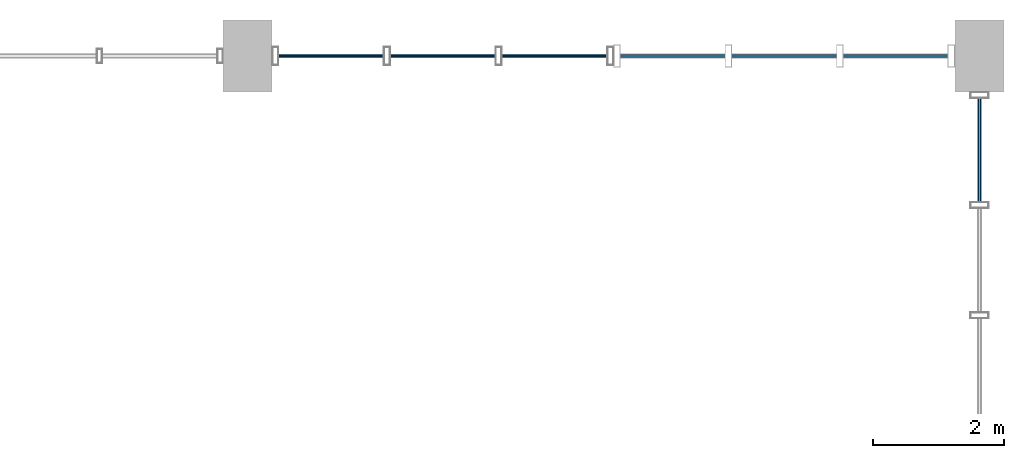
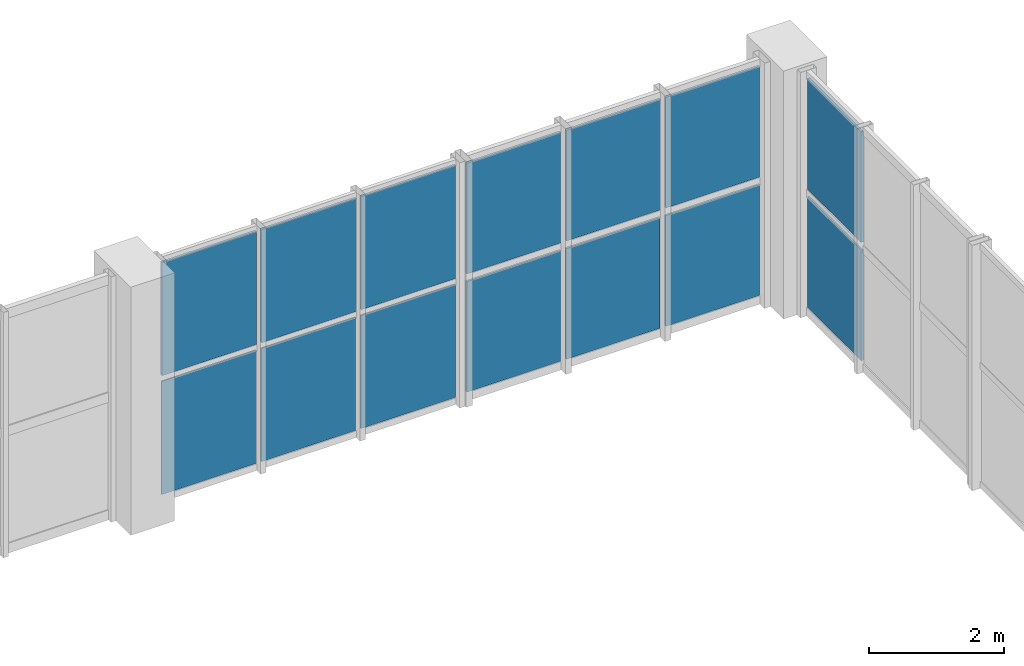
# One storey, part 35 of 48: 14 plates, 3 elements without a shape of their own.
"""IFC4 building model written with IfcOpenShell, lengths in metres."""

from ifc_helpers import new_model, si_unit, direction, frame, origin, origin_2d, place, context, subcontext, project, spatial, rectangle, extrude, material, layer, layer_set, type_object, element, aggregate, save


model = new_model("IFC4")

# Units and contexts
model_context = context("Model", 3, precision=1e-05, world=origin(), true_north=direction((0.0, 1.0)))
body_context = subcontext(model_context, "Body", "Model", "MODEL_VIEW")
ifc_project = project(units=[si_unit("LENGTHUNIT", "METRE"), si_unit("AREAUNIT", "SQUARE_METRE"), si_unit("VOLUMEUNIT", "CUBIC_METRE"), si_unit("PLANEANGLEUNIT", "RADIAN"), si_unit("MASSUNIT", "GRAM", prefix="KILO"), si_unit("POWERUNIT", "WATT"), si_unit("THERMODYNAMICTEMPERATUREUNIT", "KELVIN")], contexts=[model_context])

# Site, building, storey
site_placement = place(None, origin())
site = spatial("IfcSite", under=ifc_project, at=site_placement, CompositionType="ELEMENT")
building_placement = place(site_placement, origin())
building = spatial("IfcBuilding", under=site, at=building_placement, Name="Kelmbourne Parkland Aquatics Centre", CompositionType="ELEMENT")
storey_placement = place(building_placement, frame((0.0, 0.0, 14.699951171875)))
storey = spatial("IfcBuildingStorey", under=building, at=storey_placement, Name="L03", CompositionType="ELEMENT", Elevation=14.699951171875)

# Curtain wall, plate
ifc_material_1 = material(Name="Thermally broken anodised aluminium framing", Category="aluminium")
ifc_layer_1 = layer(ifc_material_1, 0.179931640625)
ifc_layer_set_1 = layer_set([ifc_layer_1], Name="Thermally broken anodised aluminium framing")
curtain_wall_type_1 = type_object("IfcCurtainWallType", Name="CW-07", PredefinedType="NOTDEFINED", material=ifc_layer_set_1)
curtain_wall_1_placement = place(storey_placement, origin())
curtain_wall_1 = element("IfcCurtainWall", 1, at=curtain_wall_1_placement, inside=storey, type_object=curtain_wall_type_1, Name="Wave-hall clerestory curtain wall CW-L03-103", PredefinedType="NOTDEFINED")
ifc_material_2 = material(Name="Double-glazed low-e laminated safety glass", Category="glass")
ifc_layer_2 = layer(ifc_material_2, 0.0419921875)
ifc_layer_set_2 = layer_set([ifc_layer_2], Name="Double-glazed low-e laminated safety glass")
plate_type_1 = type_object("IfcPlateType", Name="PL-CLR-1", PredefinedType="USERDEFINED", material=ifc_layer_set_2)
plate_1_placement = place(storey_placement, frame((175.199951171875, 113.3583984375, 2.2939453125), z_axis=(0.0, 0.0, 1.0), x_axis=(0.0, 1.0, 0.0)))
plate_1 = element("IfcPlate", 2, at=plate_1_placement, type_object=plate_type_1, Name="CW-L03-103 clerestory glazing 1-2", ObjectType="CLERESTORY GLAZING", PredefinedType="USERDEFINED", context=body_context, shape_type="SweptSolid", body=[
    extrude(rectangle(XDim=1.601318359375, YDim=0.0419921875, at=origin_2d()), origin(), (0.0, 0.0, 1.0), 2.009033203125),
])

# Curtain wall, plates
ifc_layer_3 = layer(ifc_material_1, 0.179931640625)
ifc_layer_set_3 = layer_set([ifc_layer_3], Name="Thermally broken anodised aluminium framing")
curtain_wall_type_2 = type_object("IfcCurtainWallType", Name="CW-09", PredefinedType="NOTDEFINED", material=ifc_layer_set_3)
curtain_wall_2_placement = place(storey_placement, origin())
curtain_wall_2 = element("IfcCurtainWall", 3, at=curtain_wall_2_placement, inside=storey, type_object=curtain_wall_type_2, Name="Wave-hall clerestory curtain wall CW-L03-153", PredefinedType="NOTDEFINED")
plate_2_placement = place(storey_placement, frame((165.279296875, 114.800048828125, 2.279296875), z_axis=(0.0, 0.0, 1.0), x_axis=(1.0, 0.0, 0.0)))
plate_2 = element("IfcPlate", 4, at=plate_2_placement, type_object=plate_type_1, Name="CW-L03-153 clerestory glazing 1-0", ObjectType="CLERESTORY GLAZING", PredefinedType="USERDEFINED", context=body_context, shape_type="SweptSolid", body=[
    extrude(rectangle(XDim=1.626220703125, YDim=0.0419921875, at=origin_2d()), origin(), (0.0, 0.0, 1.0), 2.053955078125),
])
plate_3_placement = place(storey_placement, frame((166.988525390625, 114.800048828125, 2.279296875), z_axis=(0.0, 0.0, 1.0), x_axis=(1.0, 0.0, 0.0)))
plate_3 = element("IfcPlate", 5, at=plate_3_placement, type_object=plate_type_1, Name="CW-L03-153 clerestory glazing 1-1", ObjectType="CLERESTORY GLAZING", PredefinedType="USERDEFINED", context=body_context, shape_type="SweptSolid", body=[
    extrude(rectangle(XDim=1.62646484375, YDim=0.0419921875, at=origin_2d()), origin(), (0.0, 0.0, 1.0), 2.053955078125),
])
plate_4_placement = place(storey_placement, frame((168.697998046875, 114.800048828125, 2.279296875), z_axis=(0.0, 0.0, 1.0), x_axis=(1.0, 0.0, 0.0)))
plate_4 = element("IfcPlate", 6, at=plate_4_placement, type_object=plate_type_1, Name="CW-L03-153 clerestory glazing 1-2", ObjectType="CLERESTORY GLAZING", PredefinedType="USERDEFINED", context=body_context, shape_type="SweptSolid", body=[
    extrude(rectangle(XDim=1.626220703125, YDim=0.0419921875, at=origin_2d()), origin(), (0.0, 0.0, 1.0), 2.053955078125),
])

ifc_layer_4 = layer(ifc_material_1, 0.179931640625)
ifc_layer_set_4 = layer_set([ifc_layer_4], Name="Thermally broken anodised aluminium framing")
curtain_wall_type_3 = type_object("IfcCurtainWallType", Name="CW-10", PredefinedType="NOTDEFINED", material=ifc_layer_set_4)
curtain_wall_3_placement = place(storey_placement, origin())
curtain_wall_3 = element("IfcCurtainWall", 7, at=curtain_wall_3_placement, inside=storey, type_object=curtain_wall_type_3, Name="Wave-hall clerestory curtain wall CW-L03-154", PredefinedType="NOTDEFINED")
plate_5_placement = place(storey_placement, frame((170.505615234375, 114.800048828125, 2.2939453125), z_axis=(0.0, 0.0, 1.0), x_axis=(1.0, 0.0, 0.0)))
plate_5 = element("IfcPlate", 8, at=plate_5_placement, type_object=plate_type_1, Name="CW-L03-154 clerestory glazing 1-0", ObjectType="CLERESTORY GLAZING", PredefinedType="USERDEFINED", context=body_context, shape_type="SweptSolid", body=[
    extrude(rectangle(XDim=1.613037109375, YDim=0.0419921875, at=origin_2d()), origin(), (0.0, 0.0, 1.0), 2.009033203125),
])
plate_6_placement = place(storey_placement, frame((172.21142578125, 114.800048828125, 2.2939453125), z_axis=(0.0, 0.0, 1.0), x_axis=(1.0, 0.0, 0.0)))
plate_6 = element("IfcPlate", 9, at=plate_6_placement, type_object=plate_type_1, Name="CW-L03-154 clerestory glazing 1-1", ObjectType="CLERESTORY GLAZING", PredefinedType="USERDEFINED", context=body_context, shape_type="SweptSolid", body=[
    extrude(rectangle(XDim=1.613037109375, YDim=0.0419921875, at=origin_2d()), origin(), (0.0, 0.0, 1.0), 2.009033203125),
])
plate_7_placement = place(storey_placement, frame((173.91748046875, 114.800048828125, 2.2939453125), z_axis=(0.0, 0.0, 1.0), x_axis=(1.0, 0.0, 0.0)))
plate_7 = element("IfcPlate", 10, at=plate_7_placement, type_object=plate_type_1, Name="CW-L03-154 clerestory glazing 1-2", ObjectType="CLERESTORY GLAZING", PredefinedType="USERDEFINED", context=body_context, shape_type="SweptSolid", body=[
    extrude(rectangle(XDim=1.613037109375, YDim=0.0419921875, at=origin_2d()), origin(), (0.0, 0.0, 1.0), 2.009033203125),
])

# Plate
ifc_layer_5 = layer(ifc_material_2, 0.02392578125)
ifc_layer_set_5 = layer_set([ifc_layer_5], Name="Double-glazed low-e laminated safety glass")
plate_type_2 = type_object("IfcPlateType", Name="PL-CWP-1", PredefinedType="CURTAIN_PANEL", material=ifc_layer_set_5)
plate_8_placement = place(storey_placement, frame((165.279296875, 114.800048828125, 0.1171875), z_axis=(0.0, 0.0, 1.0), x_axis=(1.0, 0.0, 0.0)))
plate_8 = element("IfcPlate", 11, at=plate_8_placement, type_object=plate_type_2, Name="CW-L03-153 vision glazing 0-0", PredefinedType="CURTAIN_PANEL", context=body_context, shape_type="SweptSolid", body=[
    extrude(rectangle(XDim=1.626220703125, YDim=0.02392578125, at=origin_2d()), origin(), (0.0, 0.0, 1.0), 2.053955078125),
])

plate_9_placement = place(storey_placement, frame((166.988525390625, 114.800048828125, 0.1171875), z_axis=(0.0, 0.0, 1.0), x_axis=(1.0, 0.0, 0.0)))
plate_9 = element("IfcPlate", 12, at=plate_9_placement, type_object=plate_type_2, Name="CW-L03-153 vision glazing 0-1", PredefinedType="CURTAIN_PANEL", context=body_context, shape_type="SweptSolid", body=[
    extrude(rectangle(XDim=1.62646484375, YDim=0.02392578125, at=origin_2d()), origin(), (0.0, 0.0, 1.0), 2.053955078125),
])

plate_10_placement = place(storey_placement, frame((168.697998046875, 114.800048828125, 0.1171875), z_axis=(0.0, 0.0, 1.0), x_axis=(1.0, 0.0, 0.0)))
plate_10 = element("IfcPlate", 13, at=plate_10_placement, type_object=plate_type_2, Name="CW-L03-153 vision glazing 0-2", PredefinedType="CURTAIN_PANEL", context=body_context, shape_type="SweptSolid", body=[
    extrude(rectangle(XDim=1.626220703125, YDim=0.02392578125, at=origin_2d()), origin(), (0.0, 0.0, 1.0), 2.053955078125),
])

aggregate(curtain_wall_2, [plate_8, plate_9, plate_10, plate_2, plate_3, plate_4])

ifc_layer_6 = layer(ifc_material_2, 0.035888671875)
ifc_layer_set_6 = layer_set([ifc_layer_6], Name="Double-glazed low-e laminated safety glass")
plate_type_3 = type_object("IfcPlateType", Name="PL-CWP-2", PredefinedType="CURTAIN_PANEL", material=ifc_layer_set_6)
plate_11_placement = place(storey_placement, frame((175.199951171875, 113.3583984375, 0.14697265625), z_axis=(0.0, 0.0, 1.0), x_axis=(0.0, 1.0, 0.0)))
plate_11 = element("IfcPlate", 14, at=plate_11_placement, type_object=plate_type_3, Name="CW-L03-103 vision glazing 0-2", PredefinedType="CURTAIN_PANEL", context=body_context, shape_type="SweptSolid", body=[
    extrude(rectangle(XDim=1.601318359375, YDim=0.035888671875, at=origin_2d()), origin(), (0.0, 0.0, 1.0), 2.009033203125),
])

aggregate(curtain_wall_1, [plate_11, plate_1])

plate_12_placement = place(storey_placement, frame((170.505615234375, 114.800048828125, 0.14697265625), z_axis=(0.0, 0.0, 1.0), x_axis=(1.0, 0.0, 0.0)))
plate_12 = element("IfcPlate", 15, at=plate_12_placement, type_object=plate_type_3, Name="CW-L03-154 vision glazing 0-0", PredefinedType="CURTAIN_PANEL", context=body_context, shape_type="SweptSolid", body=[
    extrude(rectangle(XDim=1.613037109375, YDim=0.035888671875, at=origin_2d()), origin(), (0.0, 0.0, 1.0), 2.009033203125),
])

plate_13_placement = place(storey_placement, frame((172.21142578125, 114.800048828125, 0.14697265625), z_axis=(0.0, 0.0, 1.0), x_axis=(1.0, 0.0, 0.0)))
plate_13 = element("IfcPlate", 16, at=plate_13_placement, type_object=plate_type_3, Name="CW-L03-154 vision glazing 0-1", PredefinedType="CURTAIN_PANEL", context=body_context, shape_type="SweptSolid", body=[
    extrude(rectangle(XDim=1.613037109375, YDim=0.035888671875, at=origin_2d()), origin(), (0.0, 0.0, 1.0), 2.009033203125),
])

plate_14_placement = place(storey_placement, frame((173.91748046875, 114.800048828125, 0.14697265625), z_axis=(0.0, 0.0, 1.0), x_axis=(1.0, 0.0, 0.0)))
plate_14 = element("IfcPlate", 17, at=plate_14_placement, type_object=plate_type_3, Name="CW-L03-154 vision glazing 0-2", PredefinedType="CURTAIN_PANEL", context=body_context, shape_type="SweptSolid", body=[
    extrude(rectangle(XDim=1.613037109375, YDim=0.035888671875, at=origin_2d()), origin(), (0.0, 0.0, 1.0), 2.009033203125),
])

aggregate(curtain_wall_3, [plate_12, plate_13, plate_14, plate_5, plate_6, plate_7])

save(model, "model.ifc")
